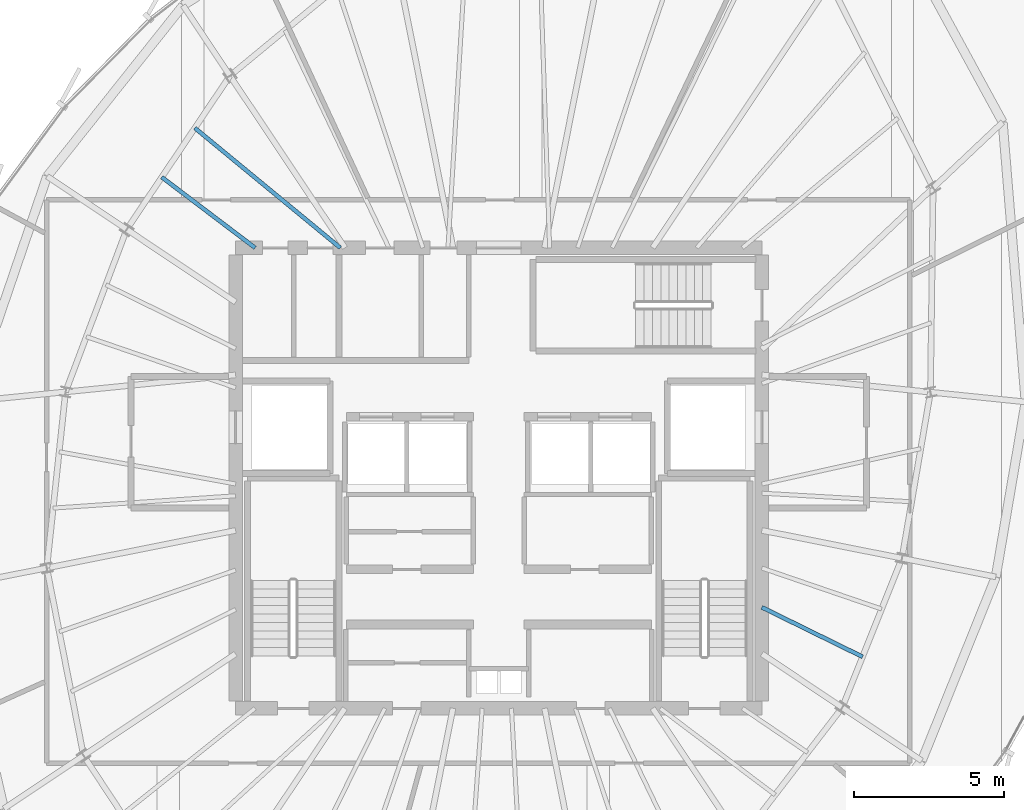
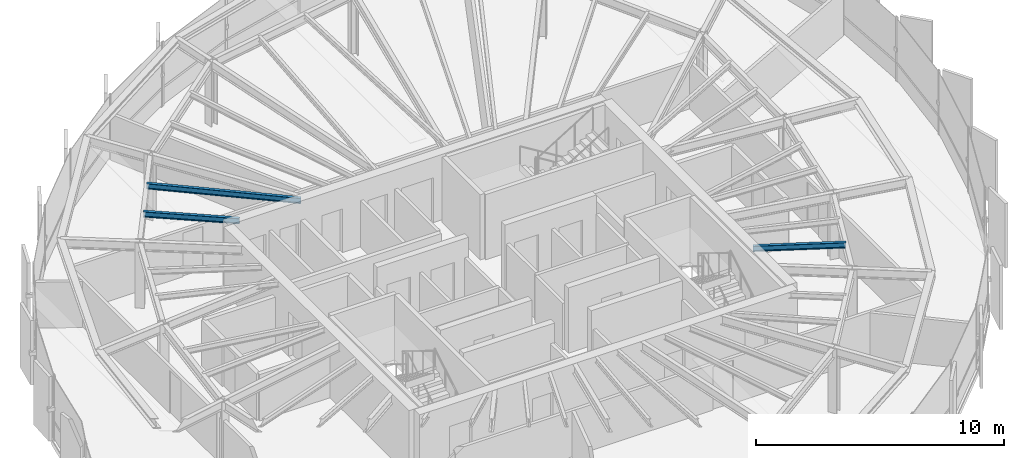
# One storey, part 12 of 33: 3 beams.
"""IFC4 building model written with IfcOpenShell, lengths in metres."""

from ifc_helpers import new_model, si_unit, direction, frame, origin, origin_2d, place, context, subcontext, project, spatial, i_section, extrude, source, transform, mapped, material, material_profile, profile_set, type_object, element, save


model = new_model("IFC4")

# Units and contexts
model_context = context("Model", 3, precision=1e-05, world=origin(), true_north=direction((0.0, 1.0)))
body_context = subcontext(model_context, "Body", "Model", "MODEL_VIEW")
ifc_project = project(units=[si_unit("LENGTHUNIT", "METRE"), si_unit("AREAUNIT", "SQUARE_METRE"), si_unit("VOLUMEUNIT", "CUBIC_METRE"), si_unit("PLANEANGLEUNIT", "RADIAN"), si_unit("MASSUNIT", "GRAM", prefix="KILO"), si_unit("THERMODYNAMICTEMPERATUREUNIT", "KELVIN")], contexts=[model_context])

# Site, building, storey
site_placement = place(None, origin())
site = spatial("IfcSite", under=ifc_project, at=site_placement, CompositionType="ELEMENT")
building_placement = place(site_placement, origin())
building = spatial("IfcBuilding", under=site, at=building_placement, Name="Kethvar Cultural Tower", CompositionType="ELEMENT")
storey_placement = place(building_placement, frame((0.0, 0.0, 235.300048828125)))
storey = spatial("IfcBuildingStorey", under=building, at=storey_placement, Name="L61", CompositionType="ELEMENT", Elevation=235.300048828125)

# Beams
ifc_material = material(Name="Steel S355J2", Category="steel")
ifc_material_profile = material_profile(ifc_material, i_section(OverallWidth=0.135009765625, OverallDepth=0.27001953125, WebThickness=0.006591796875, FlangeThickness=0.01025390625, FilletRadius=0.014892578125, at=origin_2d()), Name="Steel S355J2 — IPE270")
ifc_profile_set = profile_set([ifc_material_profile], Name="Steel S355J2 — IPE270")
beam_type = type_object("IfcBeamType", Name="BM-J270", PredefinedType="JOIST", material=ifc_profile_set)
shared_shape_1 = source(origin(), body_context, "Body", "SweptSolid", [
    extrude(i_section(OverallWidth=0.135009765625, OverallDepth=0.27001953125, WebThickness=0.006591796875, FlangeThickness=0.01025390625, FilletRadius=0.014892578125, at=origin_2d()), origin(), (0.0, 0.0, 1.0), 6.302978515625),
])
beam_1_placement = place(storey_placement, frame((41.5, 35.5, 3.072998046875), z_axis=(-0.771828477148, 0.635830796567, 0.0), x_axis=(-0.635830796567, -0.771828477148, 0.0)))
element("IfcBeam", 1, at=beam_1_placement, inside=storey, type_object=beam_type, Name="L61 Composite Floor Joist J-06A", PredefinedType="JOIST", context=body_context, shape_type="MappedRepresentation", body=[
    mapped(shared_shape_1, transform((0.0, 0.0, 0.0), scale=1.0)),
])
shared_shape_2 = source(origin(), body_context, "Body", "SweptSolid", [
    extrude(i_section(OverallWidth=0.135009765625, OverallDepth=0.27001953125, WebThickness=0.006591796875, FlangeThickness=0.01025390625, FilletRadius=0.014892578125, at=origin_2d()), origin(), (0.0, 0.0, 1.0), 3.91357421875),
])
beam_2_placement = place(storey_placement, frame((38.64990234375, 35.5, 3.072998046875), z_axis=(-0.797214062325, 0.603696727531, 0.0), x_axis=(-0.603696727531, -0.797214062325, 0.0)))
element("IfcBeam", 2, at=beam_2_placement, inside=storey, type_object=beam_type, Name="L61 Composite Floor Joist J-06B", PredefinedType="JOIST", context=body_context, shape_type="MappedRepresentation", body=[
    mapped(shared_shape_2, transform((0.0, 0.0, 0.0), scale=1.0)),
])
shared_shape_3 = source(origin(), body_context, "Body", "SweptSolid", [
    extrude(i_section(OverallWidth=0.135009765625, OverallDepth=0.27001953125, WebThickness=0.006591796875, FlangeThickness=0.01025390625, FilletRadius=0.014892578125, at=origin_2d()), origin(), (0.0, 0.0, 1.0), 3.75),
])
beam_3_placement = place(storey_placement, frame((55.60009765625, 23.476318359375, 3.072998046875), z_axis=(0.8975046019, -0.441005090184, 0.0), x_axis=(0.441005090184, 0.8975046019, 0.0)))
element("IfcBeam", 3, at=beam_3_placement, inside=storey, type_object=beam_type, Name="L61 Composite Floor Joist J-15A", PredefinedType="JOIST", context=body_context, shape_type="MappedRepresentation", body=[
    mapped(shared_shape_3, transform((0.0, 0.0, 0.0), scale=1.0)),
])

save(model, "model.ifc")
